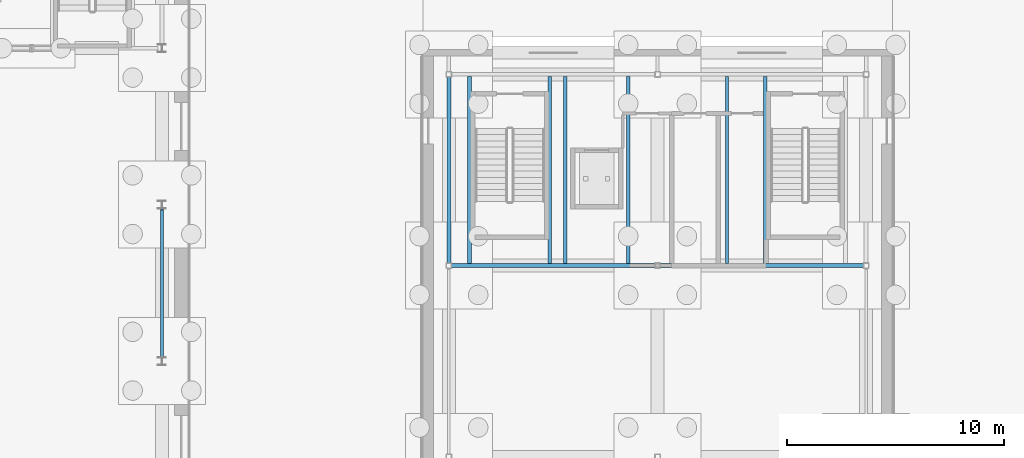
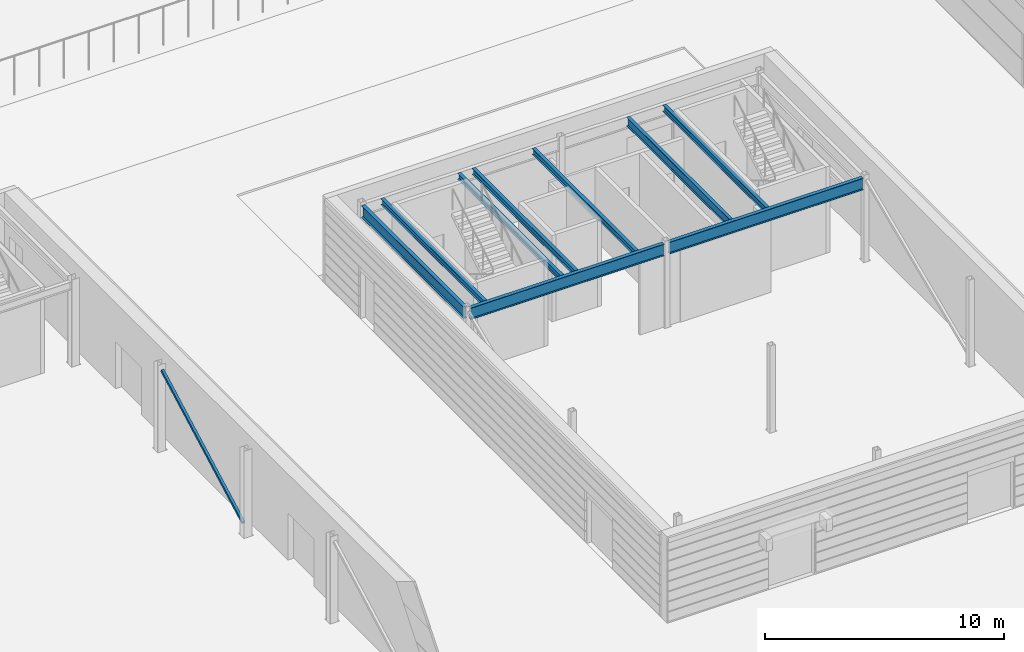
# One storey, part 39 of 139: 9 beams, 1 member.
"""IFC4 building model written with IfcOpenShell, lengths in metres."""

from ifc_helpers import new_model, si_unit, direction, frame, origin, origin_2d, place, context, subcontext, project, spatial, hollow_rectangle, i_section, extrude, material, material_profile, profile_set, type_object, element, save


model = new_model("IFC4")

# Units and contexts
model_context = context("Model", 3, precision=1e-05, world=origin(), true_north=direction((0.0, 1.0)))
body_context = subcontext(model_context, "Body", "Model", "MODEL_VIEW")
ifc_project = project(units=[si_unit("LENGTHUNIT", "METRE"), si_unit("AREAUNIT", "SQUARE_METRE"), si_unit("VOLUMEUNIT", "CUBIC_METRE"), si_unit("PLANEANGLEUNIT", "RADIAN"), si_unit("MASSUNIT", "GRAM", prefix="KILO")], contexts=[model_context])

# Site, building, storey
site_placement = place(None, origin())
site = spatial("IfcSite", under=ifc_project, at=site_placement, CompositionType="ELEMENT")
building_placement = place(site_placement, origin())
building = spatial("IfcBuilding", under=site, at=building_placement, Name="Verrick Yard Athletic Hall", CompositionType="ELEMENT")
storey_placement = place(building_placement, origin())
storey = spatial("IfcBuildingStorey", under=building, at=storey_placement, Name="L00", CompositionType="ELEMENT", Elevation=0.0)

# Beams
ifc_material_1 = material(Name="Structural steel 350W (CSA G40.21)", Category="steel")
ifc_material_profile_1 = material_profile(ifc_material_1, i_section(OverallWidth=0.178955078125, OverallDepth=0.60302734375, WebThickness=0.010986328125, FlangeThickness=0.014892578125, at=origin_2d()), Name="W610x92")
ifc_profile_set_1 = profile_set([ifc_material_profile_1], Name="Structural steel 350W (CSA G40.21)")
beam_type_1 = type_object("IfcBeamType", Name="HB girder W610x92", PredefinedType="BEAM", material=ifc_profile_set_1)
beam_1_placement = place(storey_placement, frame((89.326904296875, 90.800048828125, 3.948486328125), z_axis=(1.0, 0.0, 0.0), x_axis=(0.0, 1.0, 0.0)))
element("IfcBeam", 1, at=beam_1_placement, inside=storey, type_object=beam_type_1, Name="HB-GB-C-L01-S1", PredefinedType="BEAM", context=body_context, shape_type="SweptSolid", body=[
    extrude(i_section(OverallWidth=0.178955078125, OverallDepth=0.60302734375, WebThickness=0.010986328125, FlangeThickness=0.014892578125, at=origin_2d()), origin(), (0.0, 0.0, 1.0), 9.34619140625),
])
beam_2_placement = place(storey_placement, frame((98.927001953125, 90.800048828125, 3.948486328125), z_axis=(1.0, 0.0, 0.0), x_axis=(0.0, 1.0, 0.0)))
element("IfcBeam", 2, at=beam_2_placement, inside=storey, type_object=beam_type_1, Name="HB-GB-C-L01-S2", PredefinedType="BEAM", context=body_context, shape_type="SweptSolid", body=[
    extrude(i_section(OverallWidth=0.178955078125, OverallDepth=0.60302734375, WebThickness=0.010986328125, FlangeThickness=0.014892578125, at=origin_2d()), origin(), (0.0, 0.0, 1.0), 9.345947265625),
])
beam_3_placement = place(storey_placement, frame((89.199951171875, 90.927001953125, 3.948486328125), z_axis=(0.0, 1.0, 0.0), x_axis=(-1.0, 0.0, 0.0)))
element("IfcBeam", 3, at=beam_3_placement, inside=storey, type_object=beam_type_1, Name="HB-EB-C-L01-W", PredefinedType="BEAM", context=body_context, shape_type="SweptSolid", body=[
    extrude(i_section(OverallWidth=0.178955078125, OverallDepth=0.60302734375, WebThickness=0.010986328125, FlangeThickness=0.014892578125, at=origin_2d()), origin(), (0.0, 0.0, 1.0), 8.5458984375),
])
ifc_material_profile_2 = material_profile(ifc_material_1, i_section(OverallWidth=0.153076171875, OverallDepth=0.455078125, WebThickness=0.008056640625, FlangeThickness=0.01318359375, at=origin_2d()), Name="W460x60")
ifc_profile_set_2 = profile_set([ifc_material_profile_2], Name="Structural steel 350W (CSA G40.21)")
beam_type_2 = type_object("IfcBeamType", Name="HB secondary beam W460x60", PredefinedType="JOIST", material=ifc_profile_set_2)
beam_4_placement = place(storey_placement, frame((102.0, 90.889404296875, 4.0224609375), z_axis=(0.0, 1.0, 0.0), x_axis=(-1.0, 0.0, 0.0)))
element("IfcBeam", 4, at=beam_4_placement, inside=storey, type_object=beam_type_2, Name="HB-SB-C-L01-1", PredefinedType="JOIST", context=body_context, shape_type="SweptSolid", body=[
    extrude(i_section(OverallWidth=0.153076171875, OverallDepth=0.455078125, WebThickness=0.008056640625, FlangeThickness=0.01318359375, at=origin_2d()), origin(), (0.0, 0.0, 1.0), 8.62109375),
])
ifc_material_profile_3 = material_profile(ifc_material_1, i_section(OverallWidth=0.1650390625, OverallDepth=0.31005859375, WebThickness=0.005859375, FlangeThickness=0.009765625, at=origin_2d()), Name="W310x39")
ifc_profile_set_3 = profile_set([ifc_material_profile_3], Name="Structural steel 350W (CSA G40.21)")
beam_type_3 = type_object("IfcBeamType", Name="HB trimmer beam W310x39", PredefinedType="BEAM", material=ifc_profile_set_3)
for number, where, z_axis, x_axis, name in (
    (5, (90.14990234375, 90.889404296875, 4.094970703125), (0.0, 1.0, 0.0), (-1.0, 0.0, 0.0), "HB-TB-C-L01-1a"),
    (6, (93.85009765625, 90.889404296875, 4.094970703125), (0.0, 1.0, 0.0), (-1.0, 0.0, 0.0), "HB-TB-C-L01-1b"),
    (7, (103.75, 90.889404296875, 4.094970703125), (0.0, 1.0, 0.0), (-1.0, 0.0, 0.0), "HB-TB-C-L01-2a"),
    (8, (94.550048828125, 90.889404296875, 4.094970703125), (0.0, 1.0, 0.0), (-1.0, 0.0, 0.0), "HB-TB-C-L01-3a"),
    (9, (97.449951171875, 90.889404296875, 4.094970703125), (0.0, 1.0, 0.0), (-1.0, 0.0, 0.0), "HB-TB-C-L01-3b"),
):
    element("IfcBeam", number, at=place(storey_placement, frame(where, z_axis=z_axis, x_axis=x_axis)), inside=storey, type_object=beam_type_3, Name=name, PredefinedType="BEAM", context=body_context, shape_type="SweptSolid", body=[
        extrude(i_section(OverallWidth=0.1650390625, OverallDepth=0.31005859375, WebThickness=0.005859375, FlangeThickness=0.009765625, at=origin_2d()), origin(), (0.0, 0.0, 1.0), 8.62109375),
    ])

# Member
ifc_material_2 = material(Name="Structural steel HSS Class C 350W (CSA G40.20/G40.21)", Category="steel")
ifc_material_profile_4 = material_profile(ifc_material_2, hollow_rectangle(XDim=0.126953125, YDim=0.126953125, WallThickness=0.009521484375, at=origin_2d()), Name="HSS127x127x9.5")
ifc_profile_set_4 = profile_set([ifc_material_profile_4], Name="Structural steel HSS Class C 350W (CSA G40.20/G40.21)")
member_type = type_object("IfcMemberType", Name="HB wall brace HSS127x127x9.5", PredefinedType="BRACE", material=ifc_profile_set_4)
member_placement = place(storey_placement, frame((76.0, 86.608154296875, 0.46630859375), z_axis=(0.0, 0.879765571359, 0.475407761245), x_axis=(-1.0, 0.0, 0.0)))
element("IfcMember", 10, at=member_placement, inside=storey, type_object=member_type, Name="HB-BRW-BE-3-L00", PredefinedType="BRACE", context=body_context, shape_type="SweptSolid", body=[
    extrude(hollow_rectangle(XDim=0.126953125, YDim=0.126953125, WallThickness=0.009521484375, at=origin_2d()), origin(), (0.0, 0.0, 1.0), 7.710693359375),
])

save(model, "model.ifc")
